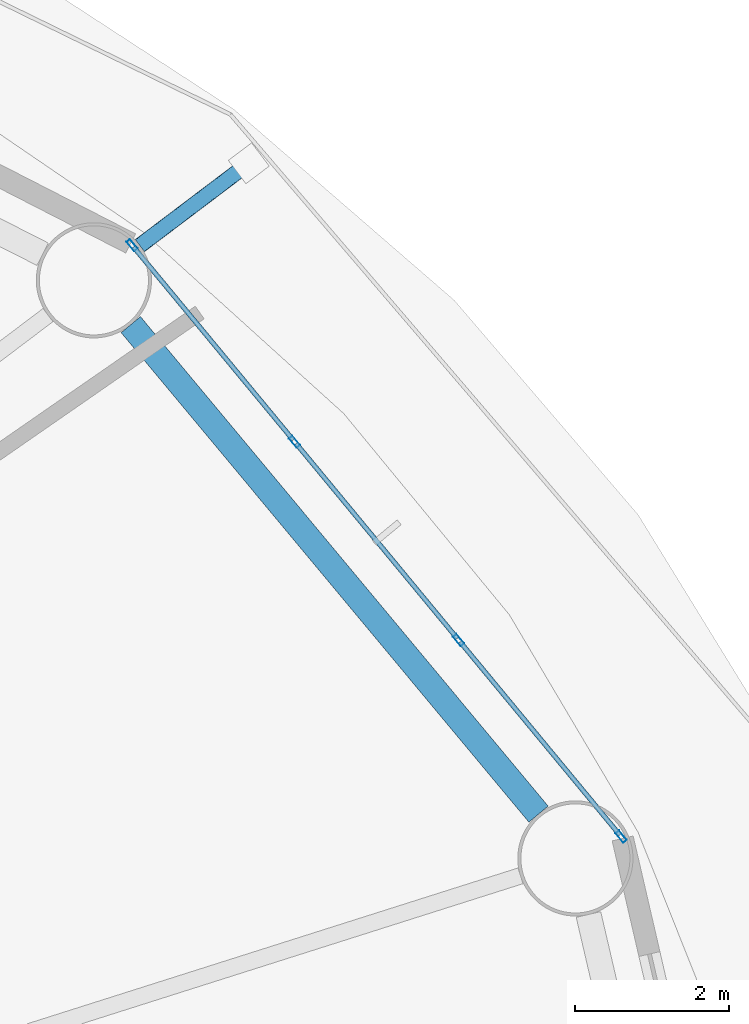
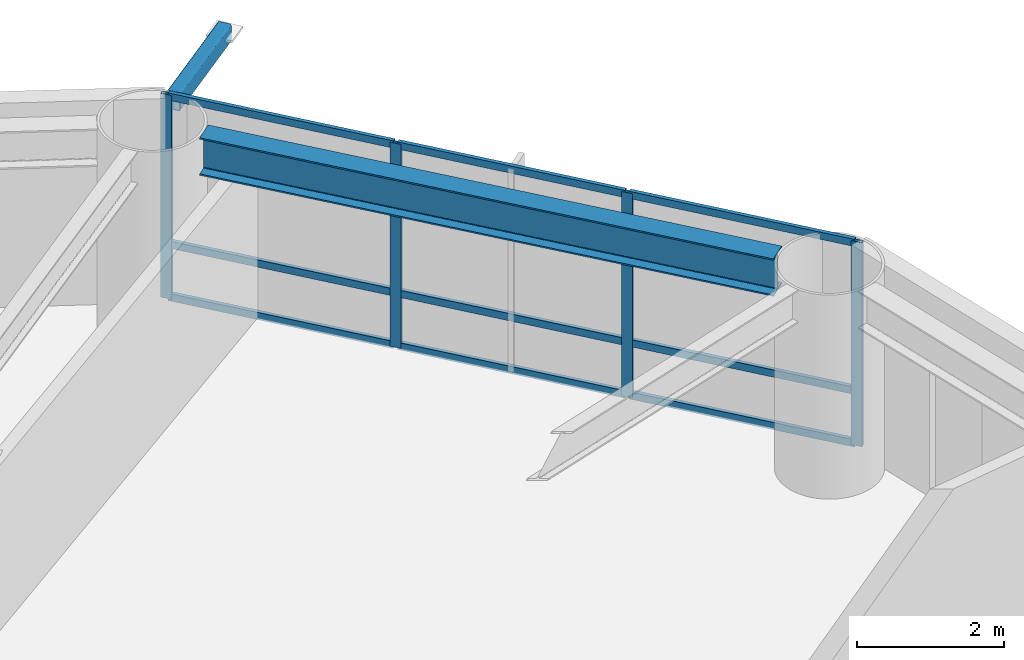
# One storey, part 14 of 26: 14 members, 1 beam, 1 element without a shape of its own.
"""IFC4 building model written with IfcOpenShell, lengths in metres."""

from ifc_helpers import new_model, si_unit, direction, frame, origin, origin_2d, place, context, subcontext, project, spatial, hollow_rectangle, i_section, extrude, material, layer, layer_set, material_profile, profile_set, type_object, element, aggregate, save


model = new_model("IFC4")

# Units and contexts
model_context = context("Model", 3, precision=1e-05, world=origin(), true_north=direction((0.0, 1.0)))
body_context = subcontext(model_context, "Body", "Model", "MODEL_VIEW")
ifc_project = project(units=[si_unit("LENGTHUNIT", "METRE"), si_unit("AREAUNIT", "SQUARE_METRE"), si_unit("VOLUMEUNIT", "CUBIC_METRE"), si_unit("PLANEANGLEUNIT", "RADIAN"), si_unit("MASSUNIT", "GRAM", prefix="KILO")], contexts=[model_context])

# Site, building, storey
site_placement = place(None, origin())
site = spatial("IfcSite", under=ifc_project, at=site_placement, CompositionType="ELEMENT")
building_placement = place(site_placement, origin())
building = spatial("IfcBuilding", under=site, at=building_placement, Name="Sarneth Arch Tower", CompositionType="ELEMENT")
storey_placement = place(building_placement, frame((0.0, 0.0, 64.199951171875)))
storey = spatial("IfcBuildingStorey", under=building, at=storey_placement, Name="L15", CompositionType="ELEMENT", Elevation=64.199951171875)

# Beam
ifc_material_1 = material(Name="Steel S355", Category="steel")
ifc_material_profile_1 = material_profile(ifc_material_1, i_section(OverallWidth=0.326904296875, OverallDepth=0.6220703125, WebThickness=0.015380859375, FlangeThickness=0.0244140625, FilletRadius=0.01904296875, at=origin_2d()), Name="W610x195")
ifc_profile_set_1 = profile_set([ifc_material_profile_1], Name="Steel S355")
beam_type = type_object("IfcBeamType", Name="BM-SPAN-610A", PredefinedType="SPANDREL", material=ifc_profile_set_1)
beam_placement = place(storey_placement, frame((75.485595703125, 51.45458984375, 3.069091796875), z_axis=(-0.639981736251, 0.768390120489, 0.0), x_axis=(-0.768390120489, -0.639981736251, 0.0)))
element("IfcBeam", 1, at=beam_placement, inside=storey, type_object=beam_type, Name="L15 Perimeter spandrel beam 02", PredefinedType="SPANDREL", context=body_context, shape_type="SweptSolid", body=[
    extrude(i_section(OverallWidth=0.326904296875, OverallDepth=0.6220703125, WebThickness=0.015380859375, FlangeThickness=0.0244140625, FilletRadius=0.01904296875, at=origin_2d()), origin(), (0.0, 0.0, 1.0), 8.29541015625),
])

# Curtain wall, members
ifc_material_2 = material(Name="Anodised aluminium Type AA25 and solar-control low-e laminated IGU", Category="aluminium")
ifc_layer = layer(ifc_material_2, 0.159912109375)
ifc_layer_set = layer_set([ifc_layer], Name="Anodised aluminium Type AA25 and solar-control low-e laminated IGU")
curtain_wall_type = type_object("IfcCurtainWallType", Name="CW-HOTEL-LOW", PredefinedType="NOTDEFINED", material=ifc_layer_set)
curtain_wall_placement = place(storey_placement, origin())
curtain_wall = element("IfcCurtainWall", 2, at=curtain_wall_placement, inside=storey, type_object=curtain_wall_type, Name="L15 Unitised curtain wall facet 02", PredefinedType="NOTDEFINED")
ifc_material_3 = material(Name="Anodised Aluminium 6063-T6", Category="aluminium")
ifc_material_profile_2 = material_profile(ifc_material_3, hollow_rectangle(XDim=0.06005859375, YDim=0.159912109375, WallThickness=0.00390625, at=origin_2d()), Name="AL-MULL-160x60x4")
ifc_profile_set_2 = profile_set([ifc_material_profile_2], Name="Anodised Aluminium 6063-T6")
member_type_1 = type_object("IfcMemberType", Name="CW-MULLION", PredefinedType="MULLION", material=ifc_profile_set_2)
member_1_placement = place(storey_placement, frame((76.561767578125, 51.16162109375, 0.0), z_axis=(0.0, 0.0, 1.0), x_axis=(-0.770622960278, -0.637291340827, 0.0)))
member_1 = element("IfcMember", 3, at=member_1_placement, type_object=member_type_1, Name="CW-SYS-3 mullion 1", PredefinedType="MULLION", context=body_context, shape_type="SweptSolid", body=[
    extrude(hollow_rectangle(XDim=0.06005859375, YDim=0.159912109375, WallThickness=0.00390625, at=origin_2d()), origin(), (0.0, 0.0, 1.0), 3.380126953125),
])
member_2_placement = place(storey_placement, frame((74.4453125, 53.720947265625, 0.0), z_axis=(0.0, 0.0, 1.0), x_axis=(-0.770622960278, -0.637291340827, 0.0)))
member_2 = element("IfcMember", 4, at=member_2_placement, type_object=member_type_1, Name="CW-SYS-3 mullion 2", PredefinedType="MULLION", context=body_context, shape_type="SweptSolid", body=[
    extrude(hollow_rectangle(XDim=0.06005859375, YDim=0.159912109375, WallThickness=0.00390625, at=origin_2d()), origin(), (0.0, 0.0, 1.0), 3.380126953125),
])
member_3_placement = place(storey_placement, frame((72.309814453125, 56.30322265625, 0.0), z_axis=(0.0, 0.0, 1.0), x_axis=(-0.770622960278, -0.637291340827, 0.0)))
member_3 = element("IfcMember", 5, at=member_3_placement, type_object=member_type_1, Name="CW-SYS-3 mullion 3", PredefinedType="MULLION", context=body_context, shape_type="SweptSolid", body=[
    extrude(hollow_rectangle(XDim=0.06005859375, YDim=0.159912109375, WallThickness=0.00390625, at=origin_2d()), origin(), (0.0, 0.0, 1.0), 3.380126953125),
])
member_4_placement = place(storey_placement, frame((70.193359375, 58.862548828125, 0.0), z_axis=(0.0, 0.0, 1.0), x_axis=(-0.770622960278, -0.637291340827, 0.0)))
member_4 = element("IfcMember", 6, at=member_4_placement, type_object=member_type_1, Name="CW-SYS-3 mullion 4", PredefinedType="MULLION", context=body_context, shape_type="SweptSolid", body=[
    extrude(hollow_rectangle(XDim=0.06005859375, YDim=0.159912109375, WallThickness=0.00390625, at=origin_2d()), origin(), (0.0, 0.0, 1.0), 3.380126953125),
])
ifc_material_4 = material(Name="Anodised Aluminium 6063-T6", Category="aluminium")
ifc_material_profile_3 = material_profile(ifc_material_4, hollow_rectangle(XDim=0.06005859375, YDim=0.1201171875, WallThickness=0.00390625, at=origin_2d()), Name="AL-TRAN-120x60x4")
ifc_profile_set_3 = profile_set([ifc_material_profile_3], Name="Anodised Aluminium 6063-T6")
member_type_2 = type_object("IfcMemberType", Name="CW-TRANSOM", PredefinedType="USERDEFINED", material=ifc_profile_set_3)
member_5_placement = place(storey_placement, frame((76.542724609375, 51.184814453125, 0.030029296875), z_axis=(-0.63733019572, 0.77059082633, 0.0), x_axis=(-0.77059082633, -0.63733019572, 0.0)))
member_5 = element("IfcMember", 7, at=member_5_placement, type_object=member_type_2, Name="CW-SYS-3 transom 1.1", ObjectType="TRANSOM", PredefinedType="USERDEFINED", context=body_context, shape_type="SweptSolid", body=[
    extrude(hollow_rectangle(XDim=0.06005859375, YDim=0.1201171875, WallThickness=0.00390625, at=origin_2d()), origin(), (0.0, 0.0, 1.0), 3.260986328125),
])
member_6_placement = place(storey_placement, frame((76.542724609375, 51.184814453125, 0.900146484375), z_axis=(-0.63733019572, 0.77059082633, 0.0), x_axis=(-0.77059082633, -0.63733019572, 0.0)))
member_6 = element("IfcMember", 8, at=member_6_placement, type_object=member_type_2, Name="CW-SYS-3 transom 1.2", ObjectType="TRANSOM", PredefinedType="USERDEFINED", context=body_context, shape_type="SweptSolid", body=[
    extrude(hollow_rectangle(XDim=0.06005859375, YDim=0.1201171875, WallThickness=0.00390625, at=origin_2d()), origin(), (0.0, 0.0, 1.0), 3.260986328125),
])
member_7_placement = place(storey_placement, frame((76.542724609375, 51.184814453125, 3.35009765625), z_axis=(-0.63733019572, 0.77059082633, 0.0), x_axis=(-0.77059082633, -0.63733019572, 0.0)))
member_7 = element("IfcMember", 9, at=member_7_placement, type_object=member_type_2, Name="CW-SYS-3 transom 1.3", ObjectType="TRANSOM", PredefinedType="USERDEFINED", context=body_context, shape_type="SweptSolid", body=[
    extrude(hollow_rectangle(XDim=0.06005859375, YDim=0.1201171875, WallThickness=0.00390625, at=origin_2d()), origin(), (0.0, 0.0, 1.0), 3.260986328125),
])
member_8_placement = place(storey_placement, frame((74.42626953125, 53.743896484375, 0.030029296875), z_axis=(-0.637268595771, 0.770641769465, 0.0), x_axis=(-0.770641769465, -0.637268595771, 0.0)))
member_8 = element("IfcMember", 10, at=member_8_placement, type_object=member_type_2, Name="CW-SYS-3 transom 2.1", ObjectType="TRANSOM", PredefinedType="USERDEFINED", context=body_context, shape_type="SweptSolid", body=[
    extrude(hollow_rectangle(XDim=0.06005859375, YDim=0.1201171875, WallThickness=0.00390625, at=origin_2d()), origin(), (0.0, 0.0, 1.0), 3.291259765625),
])
member_9_placement = place(storey_placement, frame((74.42626953125, 53.743896484375, 0.900146484375), z_axis=(-0.637268595771, 0.770641769465, 0.0), x_axis=(-0.770641769465, -0.637268595771, 0.0)))
member_9 = element("IfcMember", 11, at=member_9_placement, type_object=member_type_2, Name="CW-SYS-3 transom 2.2", ObjectType="TRANSOM", PredefinedType="USERDEFINED", context=body_context, shape_type="SweptSolid", body=[
    extrude(hollow_rectangle(XDim=0.06005859375, YDim=0.1201171875, WallThickness=0.00390625, at=origin_2d()), origin(), (0.0, 0.0, 1.0), 3.291259765625),
])
member_10_placement = place(storey_placement, frame((74.42626953125, 53.743896484375, 3.35009765625), z_axis=(-0.637268595771, 0.770641769465, 0.0), x_axis=(-0.770641769465, -0.637268595771, 0.0)))
member_10 = element("IfcMember", 12, at=member_10_placement, type_object=member_type_2, Name="CW-SYS-3 transom 2.3", ObjectType="TRANSOM", PredefinedType="USERDEFINED", context=body_context, shape_type="SweptSolid", body=[
    extrude(hollow_rectangle(XDim=0.06005859375, YDim=0.1201171875, WallThickness=0.00390625, at=origin_2d()), origin(), (0.0, 0.0, 1.0), 3.291259765625),
])
member_11_placement = place(storey_placement, frame((72.29052734375, 56.326416015625, 0.030029296875), z_axis=(-0.637285736625, 0.770627594817, 0.0), x_axis=(-0.770627594817, -0.637285736625, 0.0)))
member_11 = element("IfcMember", 13, at=member_11_placement, type_object=member_type_2, Name="CW-SYS-3 transom 3.1", ObjectType="TRANSOM", PredefinedType="USERDEFINED", context=body_context, shape_type="SweptSolid", body=[
    extrude(hollow_rectangle(XDim=0.06005859375, YDim=0.1201171875, WallThickness=0.00390625, at=origin_2d()), origin(), (0.0, 0.0, 1.0), 3.260986328125),
])
member_12_placement = place(storey_placement, frame((72.29052734375, 56.326416015625, 0.900146484375), z_axis=(-0.637285736625, 0.770627594817, 0.0), x_axis=(-0.770627594817, -0.637285736625, 0.0)))
member_12 = element("IfcMember", 14, at=member_12_placement, type_object=member_type_2, Name="CW-SYS-3 transom 3.2", ObjectType="TRANSOM", PredefinedType="USERDEFINED", context=body_context, shape_type="SweptSolid", body=[
    extrude(hollow_rectangle(XDim=0.06005859375, YDim=0.1201171875, WallThickness=0.00390625, at=origin_2d()), origin(), (0.0, 0.0, 1.0), 3.260986328125),
])
member_13_placement = place(storey_placement, frame((72.29052734375, 56.326416015625, 3.35009765625), z_axis=(-0.637285736625, 0.770627594817, 0.0), x_axis=(-0.770627594817, -0.637285736625, 0.0)))
member_13 = element("IfcMember", 15, at=member_13_placement, type_object=member_type_2, Name="CW-SYS-3 transom 3.3", ObjectType="TRANSOM", PredefinedType="USERDEFINED", context=body_context, shape_type="SweptSolid", body=[
    extrude(hollow_rectangle(XDim=0.06005859375, YDim=0.1201171875, WallThickness=0.00390625, at=origin_2d()), origin(), (0.0, 0.0, 1.0), 3.260986328125),
])
aggregate(curtain_wall, [member_1, member_2, member_3, member_4, member_5, member_6, member_7, member_8, member_9, member_10, member_11, member_12, member_13])

# Member
ifc_material_5 = material(Name="Steel S355", Category="steel")
ifc_material_profile_4 = material_profile(ifc_material_5, hollow_rectangle(XDim=0.199951171875, YDim=0.300048828125, WallThickness=0.012451171875, InnerFilletRadius=0.018798828125, OuterFilletRadius=0.03125, at=origin_2d()), Name="RHS300x200x12.5")
ifc_profile_set_4 = profile_set([ifc_material_profile_4], Name="Steel S355")
member_type_3 = type_object("IfcMemberType", Name="MEM-CANT-STRUT", PredefinedType="STRUT", material=ifc_profile_set_4)
member_14_placement = place(storey_placement, frame((70.294921875, 58.857177734375, 3.219970703125), z_axis=(0.797670609585, 0.603093358116, 0.0), x_axis=(-0.603093358116, 0.797670609585, 0.0)))
element("IfcMember", 16, at=member_14_placement, inside=storey, type_object=member_type_3, Name="L15 Balcony cantilever bracket 03", PredefinedType="STRUT", context=body_context, shape_type="SweptSolid", body=[
    extrude(hollow_rectangle(XDim=0.199951171875, YDim=0.300048828125, WallThickness=0.012451171875, InnerFilletRadius=0.018798828125, OuterFilletRadius=0.03125, at=origin_2d()), origin(), (0.0, 0.0, 1.0), 1.77783203125),
])

save(model, "model.ifc")
